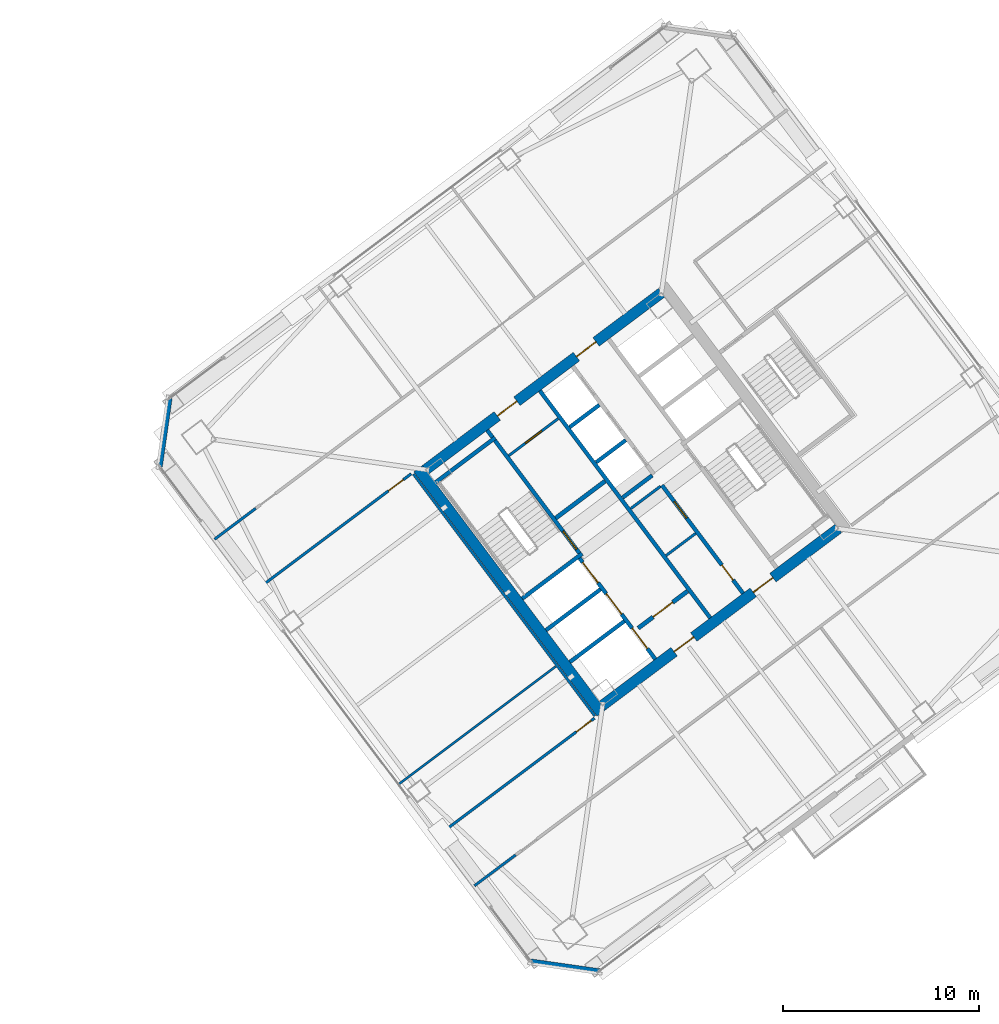
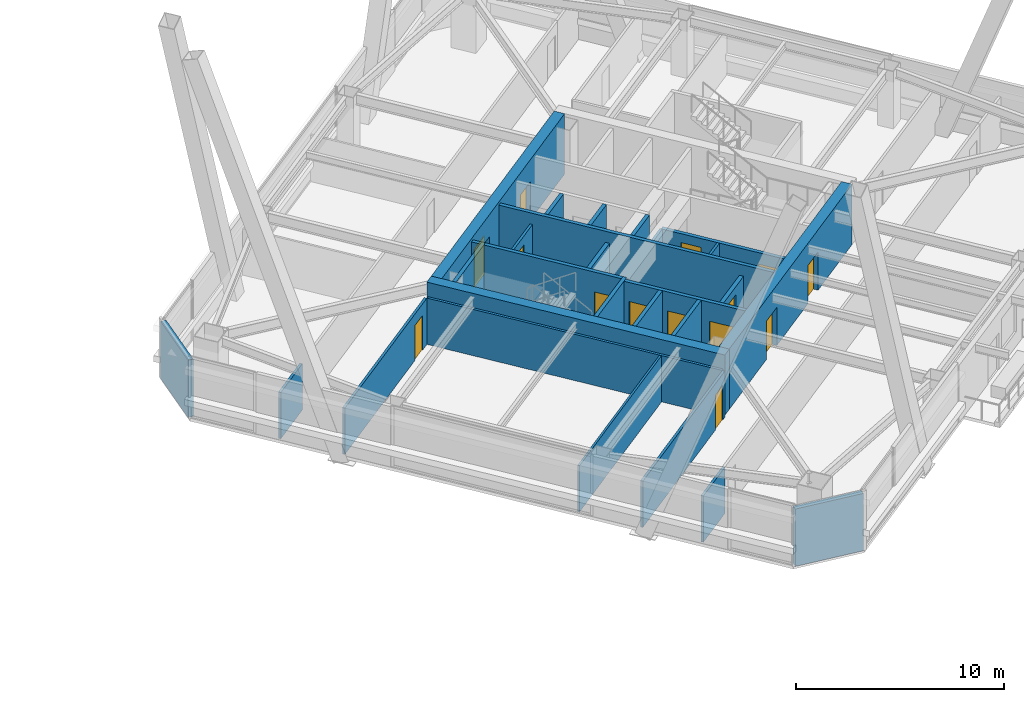
# One storey, part 46 of 54: 27 walls, 14 doors, 14 openings.
"""IFC4 building model written with IfcOpenShell, lengths in metres."""

from ifc_helpers import new_model, si_unit, direction, frame, frame_2d, origin, place, context, subcontext, project, spatial, rectangle, extrude, material, layer, layer_set, type_object, element, fill, save


model = new_model("IFC4")

# Units and contexts
model_context = context("Model", 3, precision=1e-05, world=origin(), true_north=direction((0.0, 1.0)))
body_context = subcontext(model_context, "Body", "Model", "MODEL_VIEW")
ifc_project = project(units=[si_unit("LENGTHUNIT", "METRE"), si_unit("AREAUNIT", "SQUARE_METRE"), si_unit("VOLUMEUNIT", "CUBIC_METRE"), si_unit("PLANEANGLEUNIT", "RADIAN"), si_unit("MASSUNIT", "GRAM", prefix="KILO")], contexts=[model_context])

# Site, building, storey
site_placement = place(None, origin())
site = spatial("IfcSite", under=ifc_project, at=site_placement, CompositionType="ELEMENT")
building_placement = place(site_placement, origin())
building = spatial("IfcBuilding", under=site, at=building_placement, Name="Tashvorn Skyway Center", CompositionType="ELEMENT")
storey_placement = place(building_placement, frame((0.0, 0.0, 135.699951171875)))
storey = spatial("IfcBuildingStorey", under=building, at=storey_placement, Name="L36", CompositionType="ELEMENT", Elevation=135.699951171875)

# Wall
ifc_material_1 = material(Name="Concrete C60/75", Category="concrete")
ifc_layer_1 = layer(ifc_material_1, 0.550048828125)
ifc_layer_set_1 = layer_set([ifc_layer_1], Name="Concrete C60/75")
wall_type_1 = type_object("IfcWallType", Name="WALL-CORE-550", PredefinedType="SHEAR", material=ifc_layer_set_1)
wall_1_placement = place(storey_placement, frame((112.43603515625, 21.076904296875, 0.0), z_axis=(0.0, 0.0, 1.0), x_axis=(-0.600005007985, 0.799996243986, 0.0)))
element("IfcWall", 1, at=wall_1_placement, inside=storey, type_object=wall_type_1, Name="Tower 2 L36 West Core Shear Wall", PredefinedType="SHEAR", context=body_context, shape_type="SweptSolid", body=[
    extrude(rectangle(XDim=15.60009765625, YDim=0.550048828125, at=frame_2d((7.800048828125, 0.0))), origin(), (0.0, 0.0, 1.0), 3.550048828125),
])

# Wall, openings, doors
wall_2_placement = place(storey_placement, frame((124.5390625, 30.498046875, 0.0), z_axis=(0.0, 0.0, 1.0), x_axis=(-0.799998054672, -0.600002593761, 0.0)))
wall_2 = element("IfcWall", 2, at=wall_2_placement, inside=storey, type_object=wall_type_1, Name="Tower 2 L36 South Core Shear Wall", PredefinedType="SHEAR", context=body_context, shape_type="SweptSolid", body=[
    extrude(rectangle(XDim=15.06005859375, YDim=0.550048828125, at=frame_2d((7.530029296875, 0.0))), origin(), (0.0, 0.0, 1.0), 3.550048828125),
])
opening_1_placement = place(wall_2_placement, frame((9.22998046875, 0.0, 0.0)))
opening_1 = element("IfcOpeningElement", 3, at=opening_1_placement, cuts=wall_2, Name="Opening D-FFL-1250", PredefinedType="OPENING", context=body_context, shape_type="SweptSolid", body=[
    extrude(rectangle(XDim=1.25, YDim=2.25, at=frame_2d((0.625, 1.125))), frame((0.0, 0.284912109375, 0.0), z_axis=(0.0, -1.0, 0.0), x_axis=(1.0, 0.0, 0.0)), (0.0, 0.0, 1.0), 0.570068359375),
])
opening_2_placement = place(wall_2_placement, frame((4.179931640625, 0.0, 0.0)))
opening_2 = element("IfcOpeningElement", 4, at=opening_2_placement, cuts=wall_2, Name="Opening D-FFL-1250", PredefinedType="OPENING", context=body_context, shape_type="SweptSolid", body=[
    extrude(rectangle(XDim=1.25, YDim=2.25, at=frame_2d((0.625, 1.125))), frame((0.0, 0.284912109375, 0.0), z_axis=(0.0, -1.0, 0.0), x_axis=(1.0, 0.0, 0.0)), (0.0, 0.0, 1.0), 0.570068359375),
])
ifc_material_2 = material(Name="Hollow galvanized steel fire door assembly", Category="steel")
door_type_1 = type_object("IfcDoorType", Name="DOOR-FFL-1250", OperationType="NOTDEFINED", PredefinedType="DOOR", material=ifc_material_2)
door_1_placement = place(opening_1_placement, origin())
door_1 = element("IfcDoor", 5, at=door_1_placement, inside=storey, type_object=door_type_1, Name="Tower 2 L36 Core South Firefighting Exit Door", OperationType="SINGLE_SWING_LEFT", OverallHeight=2.25, OverallWidth=1.25, PredefinedType="DOOR", context=body_context, shape_type="SweptSolid", body=[
    extrude(rectangle(XDim=1.25, YDim=2.25, at=frame_2d((0.625, 1.125))), frame((0.0, 0.02490234375, 0.0), z_axis=(0.0, -1.0, 0.0), x_axis=(1.0, 0.0, 0.0)), (0.0, 0.0, 1.0), 0.050048828125),
])
fill(opening_1, door_1)
door_2_placement = place(opening_2_placement, origin())
door_2 = element("IfcDoor", 6, at=door_2_placement, inside=storey, type_object=door_type_1, Name="Tower 2 L36 Core South Lift Lobby Door", OperationType="SINGLE_SWING_RIGHT", OverallHeight=2.25, OverallWidth=1.25, PredefinedType="DOOR", context=body_context, shape_type="SweptSolid", body=[
    extrude(rectangle(XDim=1.25, YDim=2.25, at=frame_2d((0.625, 1.125))), frame((0.0, 0.02490234375, 0.0), z_axis=(0.0, -1.0, 0.0), x_axis=(1.0, 0.0, 0.0)), (0.0, 0.0, 1.0), 0.050048828125),
])
fill(opening_2, door_2)

wall_3_placement = place(storey_placement, frame((103.4609375, 33.501953125, 0.0), z_axis=(0.0, 0.0, 1.0), x_axis=(0.799998054672, 0.600002593761, 0.0)))
wall_3 = element("IfcWall", 7, at=wall_3_placement, inside=storey, type_object=wall_type_1, Name="Tower 2 L36 North Core Shear Wall", PredefinedType="SHEAR", context=body_context, shape_type="SweptSolid", body=[
    extrude(rectangle(XDim=15.06005859375, YDim=0.550048828125, at=frame_2d((7.530029296875, 0.0))), origin(), (0.0, 0.0, 1.0), 3.550048828125),
])
opening_3_placement = place(wall_3_placement, frame((4.580078125, 0.0, 0.0)))
opening_3 = element("IfcOpeningElement", 8, at=opening_3_placement, cuts=wall_3, Name="Opening D-FFL-1250", PredefinedType="OPENING", context=body_context, shape_type="SweptSolid", body=[
    extrude(rectangle(XDim=1.25, YDim=2.25, at=frame_2d((0.625, 1.125))), frame((0.0, 0.284912109375, 0.0), z_axis=(0.0, -1.0, 0.0), x_axis=(1.0, 0.0, 0.0)), (0.0, 0.0, 1.0), 0.570068359375),
])
opening_4_placement = place(wall_3_placement, frame((9.6298828125, 0.0, 0.0)))
opening_4 = element("IfcOpeningElement", 9, at=opening_4_placement, cuts=wall_3, Name="Opening D-FFL-1250", PredefinedType="OPENING", context=body_context, shape_type="SweptSolid", body=[
    extrude(rectangle(XDim=1.25, YDim=2.25, at=frame_2d((0.625, 1.125))), frame((0.0, 0.284912109375, 0.0), z_axis=(0.0, -1.0, 0.0), x_axis=(1.0, 0.0, 0.0)), (0.0, 0.0, 1.0), 0.570068359375),
])
door_3_placement = place(opening_3_placement, origin())
door_3 = element("IfcDoor", 10, at=door_3_placement, inside=storey, type_object=door_type_1, Name="Tower 2 L36 Core North Service Lobby Door", OperationType="SINGLE_SWING_LEFT", OverallHeight=2.25, OverallWidth=1.25, PredefinedType="DOOR", context=body_context, shape_type="SweptSolid", body=[
    extrude(rectangle(XDim=1.25, YDim=2.25, at=frame_2d((0.625, 1.125))), frame((0.0, 0.02490234375, 0.0), z_axis=(0.0, -1.0, 0.0), x_axis=(1.0, 0.0, 0.0)), (0.0, 0.0, 1.0), 0.050048828125),
])
fill(opening_3, door_3)
door_4_placement = place(opening_4_placement, origin())
door_4 = element("IfcDoor", 11, at=door_4_placement, inside=storey, type_object=door_type_1, Name="Tower 2 L36 Core North Lift Lobby Door", OperationType="SINGLE_SWING_RIGHT", OverallHeight=2.25, OverallWidth=1.25, PredefinedType="DOOR", context=body_context, shape_type="SweptSolid", body=[
    extrude(rectangle(XDim=1.25, YDim=2.25, at=frame_2d((0.625, 1.125))), frame((0.0, 0.02490234375, 0.0), z_axis=(0.0, -1.0, 0.0), x_axis=(1.0, 0.0, 0.0)), (0.0, 0.0, 1.0), 0.050048828125),
])
fill(opening_4, door_4)

# Walls
ifc_material_3 = material(Name="Precast concrete C40/50", Category="concrete")
ifc_layer_2 = layer(ifc_material_3, 0.280029296875)
ifc_layer_set_2 = layer_set([ifc_layer_2], Name="Precast concrete C40/50")
wall_type_2 = type_object("IfcWallType", Name="WALL-EXT-280", PredefinedType="SOLIDWALL", material=ifc_layer_set_2)
for number, where, z_axis, x_axis, name in (
    (12, (112.340087890625, 7.8798828125, 0.0), (0.0, 0.0, 1.0), (-0.989949493661, 0.141421356237, 0.0), "Tower 2 L36 SW Precast Chamfer Wall"),
    (13, (89.8798828125, 33.659912109375, 0.0), (0.0, 0.0, 1.0), (0.141421356237, 0.989949493661, 0.0), "Tower 2 L36 NW Precast Chamfer Wall"),
):
    element("IfcWall", number, at=place(storey_placement, frame(where, z_axis=z_axis, x_axis=x_axis)), inside=storey, type_object=wall_type_2, Name=name, PredefinedType="SOLIDWALL", context=body_context, shape_type="SweptSolid", body=[
        extrude(rectangle(XDim=3.53564453125, YDim=0.280029296875, at=frame_2d((1.767822265625, 0.0))), origin(), (0.0, 0.0, 1.0), 3.3701171875),
    ])
ifc_material_4 = material(Name="Concrete C40/50", Category="concrete")
ifc_layer_3 = layer(ifc_material_4, 0.219970703125)
ifc_layer_set_3 = layer_set([ifc_layer_3], Name="Concrete C40/50")
wall_type_3 = type_object("IfcWallType", Name="WALL-FFL-220", PredefinedType="SOLIDWALL", material=ifc_layer_set_3)
wall_4_placement = place(storey_placement, frame((110.10400390625, 31.028076171875, 0.0), z_axis=(0.0, 0.0, 1.0), x_axis=(0.800018601094, 0.59997519774, 0.0)))
element("IfcWall", 14, at=wall_4_placement, inside=storey, type_object=wall_type_3, Name="Tower 2 L36 Firefighting Lobby North Wall", PredefinedType="SOLIDWALL", context=body_context, shape_type="SweptSolid", body=[
    extrude(rectangle(XDim=3.14990234375, YDim=0.219970703125, at=frame_2d((1.574951171875, 0.0))), origin(), (0.0, 0.0, 1.0), 2.72314453125),
])

# Wall, opening, door
wall_5_placement = place(storey_placement, frame((114.31591796875, 25.412109375, 0.0), z_axis=(0.0, 0.0, 1.0), x_axis=(0.800018601094, 0.59997519774, 0.0)))
wall_5 = element("IfcWall", 15, at=wall_5_placement, inside=storey, type_object=wall_type_3, Name="Tower 2 L36 Firefighting Lobby South Wall", PredefinedType="SOLIDWALL", context=body_context, shape_type="SweptSolid", body=[
    extrude(rectangle(XDim=3.14990234375, YDim=0.219970703125, at=frame_2d((1.574951171875, 0.0))), origin(), (0.0, 0.0, 1.0), 2.72314453125),
])
opening_5_placement = place(wall_5_placement, frame((0.949951171875, 0.0, 0.0)))
opening_5 = element("IfcOpeningElement", 16, at=opening_5_placement, cuts=wall_5, Name="Opening D-FFL-1250", PredefinedType="OPENING", context=body_context, shape_type="SweptSolid", body=[
    extrude(rectangle(XDim=1.25, YDim=2.25, at=frame_2d((0.625, 1.125))), frame((0.0, 0.119873046875, 0.0), z_axis=(0.0, -1.0, 0.0), x_axis=(1.0, 0.0, 0.0)), (0.0, 0.0, 1.0), 0.239990234375),
])
door_5_placement = place(opening_5_placement, origin())
door_5 = element("IfcDoor", 17, at=door_5_placement, inside=storey, type_object=door_type_1, Name="Tower 2 L36 Firefighting Lobby Egress Door", OperationType="SINGLE_SWING_LEFT", OverallHeight=2.25, OverallWidth=1.25, PredefinedType="DOOR", context=body_context, shape_type="SweptSolid", body=[
    extrude(rectangle(XDim=1.25, YDim=2.25, at=frame_2d((0.625, 1.125))), frame((0.0, 0.02490234375, 0.0), z_axis=(0.0, -1.0, 0.0), x_axis=(1.0, 0.0, 0.0)), (0.0, 0.0, 1.0), 0.050048828125),
])
fill(opening_5, door_5)

# Walls
ifc_material_5 = material(Name="Gypsum board on cold-formed steel stud framing", Category="steel")
ifc_layer_4 = layer(ifc_material_5, 0.110107421875)
ifc_layer_set_4 = layer_set([ifc_layer_4], Name="Gypsum board on cold-formed steel stud framing")
wall_type_4 = type_object("IfcWallType", Name="WALL-PART-110", PredefinedType="PARTITIONING", material=ifc_layer_set_4)
wall_6_placement = place(storey_placement, frame((102.075927734375, 17.431884765625, 0.0), z_axis=(0.0, 0.0, 1.0), x_axis=(0.799991245945, 0.600011671896, 0.0)))
element("IfcWall", 18, at=wall_6_placement, inside=storey, type_object=wall_type_4, Name="Tower 2 L36 West Mid Partition", PredefinedType="PARTITIONING", context=body_context, shape_type="SweptSolid", body=[
    extrude(rectangle(XDim=10.0400390625, YDim=0.110107421875, at=frame_2d((5.02001953125, 0.0))), origin(), (0.0, 0.0, 1.0), 2.72314453125),
])
ifc_layer_5 = layer(ifc_material_5, 0.135009765625)
ifc_layer_set_5 = layer_set([ifc_layer_5], Name="Gypsum board on cold-formed steel stud framing")
wall_type_5 = type_object("IfcWallType", Name="WALL-PART-135", PredefinedType="PARTITIONING", material=ifc_layer_set_5)
wall_7_placement = place(storey_placement, frame((92.68603515625, 29.951904296875, 0.0), z_axis=(0.0, 0.0, 1.0), x_axis=(0.799977721118, 0.600029704027, 0.0)))
element("IfcWall", 19, at=wall_7_placement, inside=storey, type_object=wall_type_5, Name="Tower 2 L36 North-West Suite South Wall", PredefinedType="PARTITIONING", context=body_context, shape_type="SweptSolid", body=[
    extrude(rectangle(XDim=2.630126953125, YDim=0.135009765625, at=frame_2d((1.31494140625, 0.0))), origin(), (0.0, 0.0, 1.0), 2.72314453125),
])
wall_8_placement = place(storey_placement, frame((105.9580078125, 12.256103515625, 0.0), z_axis=(0.0, 0.0, 1.0), x_axis=(0.80002227902, 0.599970293491, 0.0)))
element("IfcWall", 20, at=wall_8_placement, inside=storey, type_object=wall_type_5, Name="Tower 2 L36 South-West Suite North Wall", PredefinedType="PARTITIONING", context=body_context, shape_type="SweptSolid", body=[
    extrude(rectangle(XDim=2.6298828125, YDim=0.135009765625, at=frame_2d((1.31494140625, 0.0))), origin(), (0.0, 0.0, 1.0), 2.72314453125),
])
wall_9_placement = place(storey_placement, frame((112.10400390625, 20.927978515625, 0.0), z_axis=(0.0, 0.0, 1.0), x_axis=(-0.599994940075, 0.800003794918, 0.0)))
element("IfcWall", 21, at=wall_9_placement, inside=storey, type_object=wall_type_5, Name="Tower 2 L36 West Inner Suite Wall", PredefinedType="PARTITIONING", context=body_context, shape_type="SweptSolid", body=[
    extrude(rectangle(XDim=15.43994140625, YDim=0.135009765625, at=frame_2d((7.719970703125, 0.0))), origin(), (0.0, 0.0, 1.0), 2.72314453125),
])

# Wall, opening, door
wall_10_placement = place(storey_placement, frame((102.72802734375, 33.2958984375, 0.0), z_axis=(0.0, 0.0, 1.0), x_axis=(-0.800002918023, -0.599996109283, 0.0)))
wall_10 = element("IfcWall", 22, at=wall_10_placement, inside=storey, type_object=wall_type_5, Name="Tower 2 L36 West Suite North Wall", PredefinedType="PARTITIONING", context=body_context, shape_type="SweptSolid", body=[
    extrude(rectangle(XDim=10.0400390625, YDim=0.135009765625, at=frame_2d((5.02001953125, 0.0))), origin(), (0.0, 0.0, 1.0), 2.72314453125),
])
opening_6_placement = place(wall_10_placement, frame((0.5, 0.0, 0.0)))
opening_6 = element("IfcOpeningElement", 23, at=opening_6_placement, cuts=wall_10, Name="Opening D-INT-950", PredefinedType="OPENING", context=body_context, shape_type="SweptSolid", body=[
    extrude(rectangle(XDim=0.949951171875, YDim=2.050048828125, at=frame_2d((0.47509765625, 1.02490234375))), frame((0.0, 0.077392578125, 0.0), z_axis=(0.0, -1.0, 0.0), x_axis=(1.0, 0.0, 0.0)), (0.0, 0.0, 1.0), 0.155029296875),
])
ifc_material_6 = material(Name="Solid-core architectural oak veneer door")
door_type_2 = type_object("IfcDoorType", Name="DOOR-INT-950", OperationType="NOTDEFINED", PredefinedType="DOOR", material=ifc_material_6)
door_6_placement = place(opening_6_placement, origin())
door_6 = element("IfcDoor", 24, at=door_6_placement, inside=storey, type_object=door_type_2, Name="Tower 2 L36 Reading Lounge Door", OperationType="SINGLE_SWING_LEFT", OverallHeight=2.050048828125, OverallWidth=0.949951171875, PredefinedType="DOOR", context=body_context, shape_type="SweptSolid", body=[
    extrude(rectangle(XDim=0.949951171875, YDim=2.050048828125, at=frame_2d((0.47509765625, 1.02490234375))), frame((0.0, 0.02490234375, 0.0), z_axis=(0.0, -1.0, 0.0), x_axis=(1.0, 0.0, 0.0)), (0.0, 0.0, 1.0), 0.050048828125),
])
fill(opening_6, door_6)

wall_11_placement = place(storey_placement, frame((104.055908203125, 14.7919921875, 0.0), z_axis=(0.0, 0.0, 1.0), x_axis=(0.800002918023, 0.599996109283, 0.0)))
wall_11 = element("IfcWall", 25, at=wall_11_placement, inside=storey, type_object=wall_type_5, Name="Tower 2 L36 West Suite South Wall", PredefinedType="PARTITIONING", context=body_context, shape_type="SweptSolid", body=[
    extrude(rectangle(XDim=10.0400390625, YDim=0.135009765625, at=frame_2d((5.02001953125, 0.0))), origin(), (0.0, 0.0, 1.0), 2.72314453125),
])
opening_7_placement = place(wall_11_placement, frame((8.8798828125, 0.0, 0.0)))
opening_7 = element("IfcOpeningElement", 26, at=opening_7_placement, cuts=wall_11, Name="Opening D-INT-950", PredefinedType="OPENING", context=body_context, shape_type="SweptSolid", body=[
    extrude(rectangle(XDim=0.949951171875, YDim=2.050048828125, at=frame_2d((0.47509765625, 1.02490234375))), frame((0.0, 0.077392578125, 0.0), z_axis=(0.0, -1.0, 0.0), x_axis=(1.0, 0.0, 0.0)), (0.0, 0.0, 1.0), 0.155029296875),
])
door_7_placement = place(opening_7_placement, origin())
door_7 = element("IfcDoor", 27, at=door_7_placement, inside=storey, type_object=door_type_2, Name="Tower 2 L36 Public Restroom Door", OperationType="SINGLE_SWING_RIGHT", OverallHeight=2.050048828125, OverallWidth=0.949951171875, PredefinedType="DOOR", context=body_context, shape_type="SweptSolid", body=[
    extrude(rectangle(XDim=0.949951171875, YDim=2.050048828125, at=frame_2d((0.47509765625, 1.02490234375))), frame((0.0, 0.02490234375, 0.0), z_axis=(0.0, -1.0, 0.0), x_axis=(1.0, 0.0, 0.0)), (0.0, 0.0, 1.0), 0.050048828125),
])
fill(opening_7, door_7)

ifc_layer_6 = layer(ifc_material_5, 0.135009765625)
ifc_layer_set_6 = layer_set([ifc_layer_6], Name="Gypsum board on cold-formed steel stud framing")
wall_type_6 = type_object("IfcWallType", Name="WALL-RATED-135", PredefinedType="PARTITIONING", material=ifc_layer_set_6)
wall_12_placement = place(storey_placement, frame((107.7099609375, 34.219970703125, 0.0), z_axis=(0.0, 0.0, 1.0), x_axis=(0.799981399002, 0.60002480053, 0.0)))
wall_12 = element("IfcWall", 28, at=wall_12_placement, inside=storey, type_object=wall_type_6, Name="Tower 2 L36 Core Service Lobby Wall", PredefinedType="PARTITIONING", context=body_context, shape_type="SweptSolid", body=[
    extrude(rectangle(XDim=3.150146484375, YDim=0.135009765625, at=frame_2d((1.5751953125, 0.0))), origin(), (0.0, 0.0, 1.0), 2.72314453125),
])
opening_8_placement = place(wall_12_placement, frame((1.050048828125, 0.0, 0.0)))
opening_8 = element("IfcOpeningElement", 29, at=opening_8_placement, cuts=wall_12, Name="Opening D-RT-1050", PredefinedType="OPENING", context=body_context, shape_type="SweptSolid", body=[
    extrude(rectangle(XDim=1.050048828125, YDim=2.199951171875, at=frame_2d((0.52490234375, 1.10009765625))), frame((0.0, 0.077392578125, 0.0), z_axis=(0.0, -1.0, 0.0), x_axis=(1.0, 0.0, 0.0)), (0.0, 0.0, 1.0), 0.155029296875),
])
door_type_3 = type_object("IfcDoorType", Name="DOOR-RATED-1050", OperationType="NOTDEFINED", PredefinedType="DOOR", material=ifc_material_2)
door_8_placement = place(opening_8_placement, origin())
door_8 = element("IfcDoor", 30, at=door_8_placement, inside=storey, type_object=door_type_3, Name="Tower 2 L36 Core Accessible WC Door", OperationType="SINGLE_SWING_LEFT", OverallHeight=2.199951171875, OverallWidth=1.050048828125, PredefinedType="DOOR", context=body_context, shape_type="SweptSolid", body=[
    extrude(rectangle(XDim=1.050048828125, YDim=2.199951171875, at=frame_2d((0.52490234375, 1.10009765625))), frame((0.0, 0.02490234375, 0.0), z_axis=(0.0, -1.0, 0.0), x_axis=(1.0, 0.0, 0.0)), (0.0, 0.0, 1.0), 0.050048828125),
])
fill(opening_8, door_8)

# Walls
for number, where, z_axis, x_axis, name in (
    (31, (113.946044921875, 31.52197265625, 0.0), (0.0, 0.0, 1.0), (0.8, 0.6, 0.0), "Tower 2 L36 Core Room Partition"),
    (32, (115.74609375, 29.1220703125, 0.0), (0.0, 0.0, 1.0), (0.8, 0.6, 0.0), "Tower 2 L36 Freed Core Partition"),
):
    element("IfcWall", number, at=place(storey_placement, frame(where, z_axis=z_axis, x_axis=x_axis)), inside=storey, type_object=wall_type_6, Name=name, PredefinedType="PARTITIONING", context=body_context, shape_type="SweptSolid", body=[
        extrude(rectangle(XDim=1.8798828125, YDim=0.135009765625, at=frame_2d((0.93994140625, 0.0))), origin(), (0.0, 0.0, 1.0), 2.72314453125),
    ])
ifc_layer_7 = layer(ifc_material_4, 0.199951171875)
ifc_layer_set_7 = layer_set([ifc_layer_7], Name="Concrete C40/50")
wall_type_7 = type_object("IfcWallType", Name="WALL-SHAFT-200", PredefinedType="SOLIDWALL", material=ifc_layer_set_7)
for number, where, z_axis, x_axis, name in (
    (33, (110.825927734375, 23.681884765625, 0.0), (0.0, 0.0, 1.0), (0.8, 0.6, 0.0), "Tower 2 L36 FSAE Shaft Divider"),
    (34, (109.60791015625, 25.305908203125, 0.0), (0.0, 0.0, 1.0), (0.8, 0.6, 0.0), "Tower 2 L36 FSAE Shaft Divider"),
):
    element("IfcWall", number, at=place(storey_placement, frame(where, z_axis=z_axis, x_axis=x_axis)), inside=storey, type_object=wall_type_7, Name=name, PredefinedType="SOLIDWALL", context=body_context, shape_type="SweptSolid", body=[
        extrude(rectangle(XDim=3.480224609375, YDim=0.199951171875, at=frame_2d((1.740234375, 0.0))), origin(), (0.0, 0.0, 1.0), 3.3701171875),
    ])

# Wall, openings, doors
wall_13_placement = place(storey_placement, frame((119.669921875, 27.18994140625, 0.0), z_axis=(0.0, 0.0, 1.0), x_axis=(-0.599988677396, 0.800008491828, 0.0)))
wall_13 = element("IfcWall", 35, at=wall_13_placement, inside=storey, type_object=wall_type_7, Name="Tower 2 L36 Low-Rise Core Wall", PredefinedType="SOLIDWALL", context=body_context, shape_type="SweptSolid", body=[
    extrude(rectangle(XDim=6.89990234375, YDim=0.199951171875, at=frame_2d((3.449951171875, 0.0))), origin(), (0.0, 0.0, 1.0), 2.72314453125),
])
opening_9_placement = place(wall_13_placement, frame((0.85009765625, 0.0, 0.0)))
opening_9 = element("IfcOpeningElement", 36, at=opening_9_placement, cuts=wall_13, Name="Opening D-RT-950", PredefinedType="OPENING", context=body_context, shape_type="SweptSolid", body=[
    extrude(rectangle(XDim=0.949951171875, YDim=2.050048828125, at=frame_2d((0.47509765625, 1.02490234375))), frame((0.0, 0.10986328125, 0.0), z_axis=(0.0, -1.0, 0.0), x_axis=(1.0, 0.0, 0.0)), (0.0, 0.0, 1.0), 0.219970703125),
])
opening_10_placement = place(wall_13_placement, frame((4.800048828125, 0.0, 0.0)))
opening_10 = element("IfcOpeningElement", 37, at=opening_10_placement, cuts=wall_13, Name="Opening D-RT-1050", PredefinedType="OPENING", context=body_context, shape_type="SweptSolid", body=[
    extrude(rectangle(XDim=1.050048828125, YDim=2.199951171875, at=frame_2d((0.52490234375, 1.10009765625))), frame((0.0, 0.10986328125, 0.0), z_axis=(0.0, -1.0, 0.0), x_axis=(1.0, 0.0, 0.0)), (0.0, 0.0, 1.0), 0.219970703125),
])
door_9_placement = place(opening_10_placement, origin())
door_9 = element("IfcDoor", 38, at=door_9_placement, inside=storey, type_object=door_type_3, Name="Tower 2 L36 Freed Core Room Door", OperationType="SINGLE_SWING_RIGHT", OverallHeight=2.199951171875, OverallWidth=1.050048828125, PredefinedType="DOOR", context=body_context, shape_type="SweptSolid", body=[
    extrude(rectangle(XDim=1.050048828125, YDim=2.199951171875, at=frame_2d((0.52490234375, 1.10009765625))), frame((0.0, 0.02490234375, 0.0), z_axis=(0.0, -1.0, 0.0), x_axis=(1.0, 0.0, 0.0)), (0.0, 0.0, 1.0), 0.050048828125),
])
fill(opening_10, door_9)
door_type_4 = type_object("IfcDoorType", Name="DOOR-RATED-950", OperationType="NOTDEFINED", PredefinedType="DOOR", material=ifc_material_2)
door_10_placement = place(opening_9_placement, origin())
door_10 = element("IfcDoor", 39, at=door_10_placement, inside=storey, type_object=door_type_4, Name="Tower 2 L36 Core Print Room Door", OperationType="SINGLE_SWING_LEFT", OverallHeight=2.050048828125, OverallWidth=0.949951171875, PredefinedType="DOOR", context=body_context, shape_type="SweptSolid", body=[
    extrude(rectangle(XDim=0.949951171875, YDim=2.050048828125, at=frame_2d((0.47509765625, 1.02490234375))), frame((0.0, 0.02490234375, 0.0), z_axis=(0.0, -1.0, 0.0), x_axis=(1.0, 0.0, 0.0)), (0.0, 0.0, 1.0), 0.050048828125),
])
fill(opening_9, door_10)

# Walls
wall_14_placement = place(storey_placement, frame((113.52587890625, 32.08203125, 0.0), z_axis=(0.0, 0.0, 1.0), x_axis=(0.800046745961, 0.599937666993, 0.0)))
element("IfcWall", 40, at=wall_14_placement, inside=storey, type_object=wall_type_7, Name="Tower 2 L36 Mid-Rise Shaft Divider", PredefinedType="SOLIDWALL", context=body_context, shape_type="SweptSolid", body=[
    extrude(rectangle(XDim=1.880126953125, YDim=0.199951171875, at=frame_2d((0.93994140625, 0.0))), origin(), (0.0, 0.0, 1.0), 3.3701171875),
])
wall_15_placement = place(storey_placement, frame((112.176025390625, 33.882080078125, 0.0), z_axis=(0.0, 0.0, 1.0), x_axis=(0.8, 0.6, 0.0)))
element("IfcWall", 41, at=wall_15_placement, inside=storey, type_object=wall_type_7, Name="Tower 2 L36 Mid-Rise Shaft Divider", PredefinedType="SOLIDWALL", context=body_context, shape_type="SweptSolid", body=[
    extrude(rectangle(XDim=1.8798828125, YDim=0.199951171875, at=frame_2d((0.93994140625, 0.0))), origin(), (0.0, 0.0, 1.0), 3.3701171875),
])
wall_16_placement = place(storey_placement, frame((110.825927734375, 35.681884765625, 0.0), z_axis=(0.0, 0.0, 1.0), x_axis=(0.799984418148, 0.600020775241, 0.0)))
element("IfcWall", 42, at=wall_16_placement, inside=storey, type_object=wall_type_7, Name="Tower 2 L36 Mid-Rise Shaft Divider", PredefinedType="SOLIDWALL", context=body_context, shape_type="SweptSolid", body=[
    extrude(rectangle(XDim=1.880126953125, YDim=0.199951171875, at=frame_2d((0.93994140625, 0.0))), origin(), (0.0, 0.0, 1.0), 3.3701171875),
])

# Wall, opening, door
ifc_layer_8 = layer(ifc_material_4, 0.199951171875)
ifc_layer_set_8 = layer_set([ifc_layer_8], Name="Concrete C40/50")
wall_type_8 = type_object("IfcWallType", Name="WALL-STSHF-200", PredefinedType="SHEAR", material=ifc_layer_set_8)
wall_17_placement = place(storey_placement, frame((111.43994140625, 29.080078125, 0.0), z_axis=(0.0, 0.0, 1.0), x_axis=(-0.59999029481, 0.8000072788, 0.0)))
wall_17 = element("IfcWall", 43, at=wall_17_placement, inside=storey, type_object=wall_type_8, Name="Tower 2 L36 Stair 1 Enclosure Wall", PredefinedType="SHEAR", context=body_context, shape_type="SweptSolid", body=[
    extrude(rectangle(XDim=8.0498046875, YDim=0.199951171875, at=frame_2d((4.02490234375, 0.0))), origin(), (0.0, 0.0, 1.0), 3.3701171875),
])
opening_11_placement = place(wall_17_placement, frame((0.449951171875, 0.0, 0.0)))
opening_11 = element("IfcOpeningElement", 44, at=opening_11_placement, cuts=wall_17, Name="Opening D-ST-1150", PredefinedType="OPENING", context=body_context, shape_type="SweptSolid", body=[
    extrude(rectangle(XDim=1.14990234375, YDim=2.199951171875, at=frame_2d((0.574951171875, 1.10009765625))), frame((0.0, 0.10986328125, 0.0), z_axis=(0.0, -1.0, 0.0), x_axis=(1.0, 0.0, 0.0)), (0.0, 0.0, 1.0), 0.219970703125),
])
door_type_5 = type_object("IfcDoorType", Name="DOOR-STAIR-1150", OperationType="NOTDEFINED", PredefinedType="DOOR", material=ifc_material_2)
door_11_placement = place(opening_11_placement, origin())
door_11 = element("IfcDoor", 45, at=door_11_placement, inside=storey, type_object=door_type_5, Name="Tower 2 L36 Exit Stair 1 Door", OperationType="SINGLE_SWING_RIGHT", OverallHeight=2.199951171875, OverallWidth=1.14990234375, PredefinedType="DOOR", context=body_context, shape_type="SweptSolid", body=[
    extrude(rectangle(XDim=1.14990234375, YDim=2.199951171875, at=frame_2d((0.574951171875, 1.10009765625))), frame((0.0, 0.02490234375, 0.0), z_axis=(0.0, -1.0, 0.0), x_axis=(1.0, 0.0, 0.0)), (0.0, 0.0, 1.0), 0.050048828125),
])
fill(opening_11, door_11)

# Walls
for number, where, z_axis, x_axis, name in (
    (46, (108.39599609375, 26.922119140625, 0.0), (0.0, 0.0, 1.0), (0.800015298837, 0.599979601008, 0.0), "Tower 2 L36 Stair 1 South Wall"),
    (47, (103.9560546875, 32.842041015625, 0.0), (0.0, 0.0, 1.0), (0.800015298837, 0.599979601008, 0.0), "Tower 2 L36 Stair 1 North Wall"),
):
    element("IfcWall", number, at=place(storey_placement, frame(where, z_axis=z_axis, x_axis=x_axis)), inside=storey, type_object=wall_type_8, Name=name, PredefinedType="SHEAR", context=body_context, shape_type="SweptSolid", body=[
        extrude(rectangle(XDim=3.829833984375, YDim=0.199951171875, at=frame_2d((1.9150390625, 0.0))), origin(), (0.0, 0.0, 1.0), 3.3701171875),
    ])
wall_18_placement = place(storey_placement, frame((117.998046875, 25.93603515625, 0.0), z_axis=(0.0, 0.0, 1.0), x_axis=(-0.600002693989, 0.799997979501, 0.0)))
element("IfcWall", 48, at=wall_18_placement, inside=storey, type_object=wall_type_8, Name="Tower 2 L36 Firefighting Lobby East Smoke Barrier", PredefinedType="SHEAR", context=body_context, shape_type="SweptSolid", body=[
    extrude(rectangle(XDim=14.499755859375, YDim=0.199951171875, at=frame_2d((7.25, 0.0))), origin(), (0.0, 0.0, 1.0), 3.3701171875),
])

# Wall, openings, doors
wall_19_placement = place(storey_placement, frame((115.18994140625, 23.830078125, 0.0), z_axis=(0.0, 0.0, 1.0), x_axis=(-0.599993943644, 0.800004542231, 0.0)))
wall_19 = element("IfcWall", 49, at=wall_19_placement, inside=storey, type_object=wall_type_8, Name="Tower 2 L36 FSAE and Goods Shaft Front Wall", PredefinedType="SHEAR", context=body_context, shape_type="SweptSolid", body=[
    extrude(rectangle(XDim=6.449951171875, YDim=0.199951171875, at=frame_2d((3.22509765625, 0.0))), origin(), (0.0, 0.0, 1.0), 3.3701171875),
])
opening_12_placement = place(wall_19_placement, frame((4.875, 0.0, 0.0)))
opening_12 = element("IfcOpeningElement", 50, at=opening_12_placement, cuts=wall_19, Name="Opening LD-FF-T2-1-L36", PredefinedType="OPENING", context=body_context, shape_type="SweptSolid", body=[
    extrude(rectangle(XDim=1.300048828125, YDim=2.25, at=frame_2d((0.64990234375, 1.125))), frame((0.0, 0.10986328125, 0.0), z_axis=(0.0, -1.0, 0.0), x_axis=(1.0, 0.0, 0.0)), (0.0, 0.0, 1.0), 0.219970703125),
])
opening_13_placement = place(wall_19_placement, frame((2.875, 0.0, 0.0)))
opening_13 = element("IfcOpeningElement", 51, at=opening_13_placement, cuts=wall_19, Name="Opening LD-FF-T2-2-L36", PredefinedType="OPENING", context=body_context, shape_type="SweptSolid", body=[
    extrude(rectangle(XDim=1.300048828125, YDim=2.25, at=frame_2d((0.64990234375, 1.125))), frame((0.0, 0.10986328125, 0.0), z_axis=(0.0, -1.0, 0.0), x_axis=(1.0, 0.0, 0.0)), (0.0, 0.0, 1.0), 0.219970703125),
])
opening_14_placement = place(wall_19_placement, frame((0.675048828125, 0.0, 0.0)))
opening_14 = element("IfcOpeningElement", 52, at=opening_14_placement, cuts=wall_19, Name="Opening LD-GD-T2-1-L36", PredefinedType="OPENING", context=body_context, shape_type="SweptSolid", body=[
    extrude(rectangle(XDim=1.300048828125, YDim=2.25, at=frame_2d((0.64990234375, 1.125))), frame((0.0, 0.10986328125, 0.0), z_axis=(0.0, -1.0, 0.0), x_axis=(1.0, 0.0, 0.0)), (0.0, 0.0, 1.0), 0.219970703125),
])
ifc_material_7 = material(Name="Stainless steel heavy-duty landing door", Category="steel")
door_type_6 = type_object("IfcDoorType", Name="DOOR-LIFT-1300", OperationType="SLIDING_TO_LEFT", PredefinedType="DOOR", material=ifc_material_7)
door_12_placement = place(opening_12_placement, origin())
door_12 = element("IfcDoor", 53, at=door_12_placement, inside=storey, type_object=door_type_6, Name="Lift FF-T2-1 L36 Landing Door", OperationType="SLIDING_TO_LEFT", OverallHeight=2.25, OverallWidth=1.300048828125, PredefinedType="DOOR", context=body_context, shape_type="SweptSolid", body=[
    extrude(rectangle(XDim=1.300048828125, YDim=2.25, at=frame_2d((0.64990234375, 1.125))), frame((0.0, 0.02490234375, 0.0), z_axis=(0.0, -1.0, 0.0), x_axis=(1.0, 0.0, 0.0)), (0.0, 0.0, 1.0), 0.050048828125),
])
fill(opening_12, door_12)
door_13_placement = place(opening_13_placement, origin())
door_13 = element("IfcDoor", 54, at=door_13_placement, inside=storey, type_object=door_type_6, Name="Lift FF-T2-2 L36 Landing Door", OperationType="SLIDING_TO_LEFT", OverallHeight=2.25, OverallWidth=1.300048828125, PredefinedType="DOOR", context=body_context, shape_type="SweptSolid", body=[
    extrude(rectangle(XDim=1.300048828125, YDim=2.25, at=frame_2d((0.64990234375, 1.125))), frame((0.0, 0.02490234375, 0.0), z_axis=(0.0, -1.0, 0.0), x_axis=(1.0, 0.0, 0.0)), (0.0, 0.0, 1.0), 0.050048828125),
])
fill(opening_13, door_13)
door_14_placement = place(opening_14_placement, origin())
door_14 = element("IfcDoor", 55, at=door_14_placement, inside=storey, type_object=door_type_6, Name="Lift GD-T2-1 L36 Landing Door", OperationType="SLIDING_TO_LEFT", OverallHeight=2.25, OverallWidth=1.300048828125, PredefinedType="DOOR", context=body_context, shape_type="SweptSolid", body=[
    extrude(rectangle(XDim=1.300048828125, YDim=2.25, at=frame_2d((0.64990234375, 1.125))), frame((0.0, 0.02490234375, 0.0), z_axis=(0.0, -1.0, 0.0), x_axis=(1.0, 0.0, 0.0)), (0.0, 0.0, 1.0), 0.050048828125),
])
fill(opening_14, door_14)

save(model, "model.ifc")
